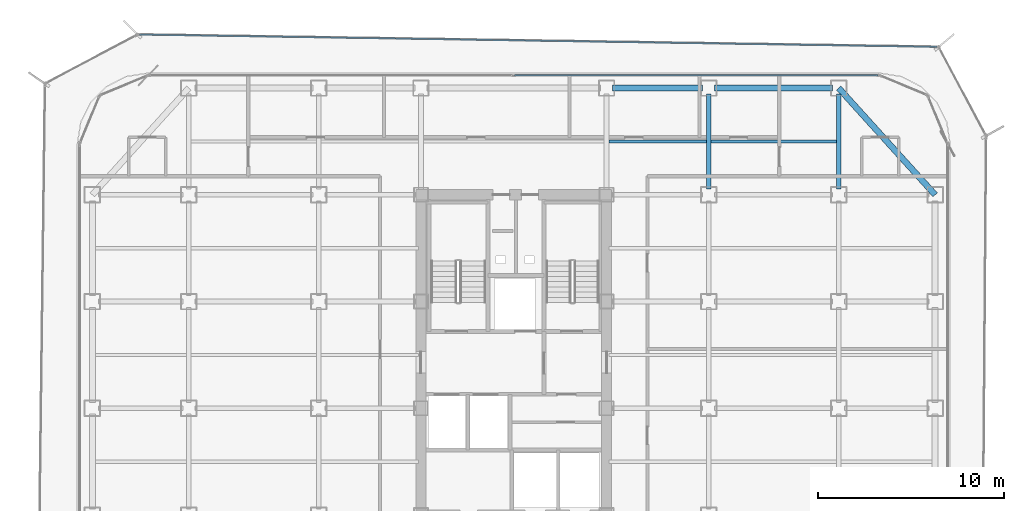
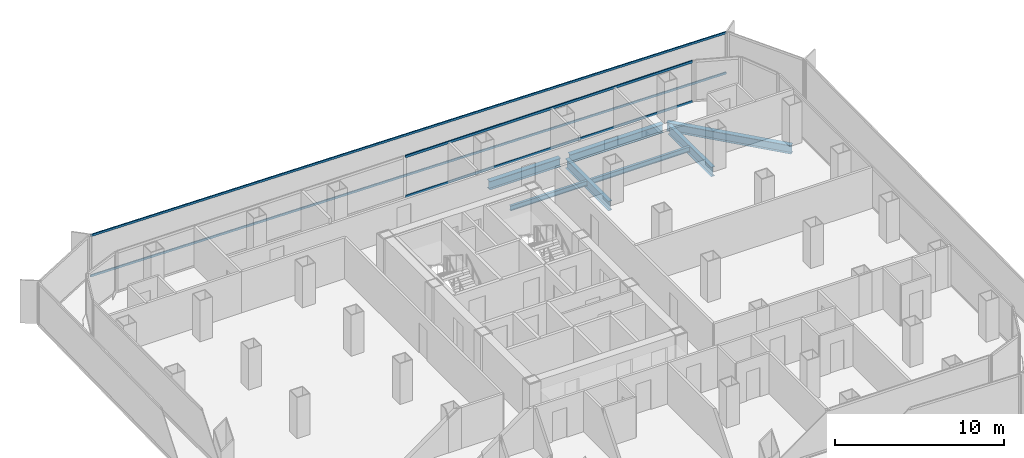
# One storey, part 13 of 21: 7 beams, 4 members, 2 elements without a shape of their own.
"""IFC4 building model written with IfcOpenShell, lengths in metres."""

import ifcopenshell
import ifcopenshell.guid

model = None  # the IFC model being written
_history = None  # IfcOwnerHistory: only IFC2X3 demands one
_inside = {}  # id of a spatial element -> (the spatial element, [elements in it])
_under = {}  # id of a project, library or spatial element -> (it, [spatial elements below it])
_declared = {}  # id of a project -> (the project, [libraries it declares])
_typed = {}  # id of a type object -> (the type object, [elements of that type])
_made_of = {}  # id of a material, layer set ... -> (it, [elements and type objects made of it])


def new_model(schema):
    """Start an empty IFC model of exactly this schema.

    Asked for "IFC4X3", IfcOpenShell would pick the latest addendum, in which some entities
    have other attributes; the version numbers below select the first issue.
    IFC2X3 requires an IfcOwnerHistory on every rooted entity: one is made here for all.
    """
    global model, _history
    if schema == "IFC4X3":
        model = ifcopenshell.file(schema_version=(4, 3, 0, 0))
    else:
        model = ifcopenshell.file(schema=schema)
    _inside.clear()
    _under.clear()
    _declared.clear()
    _typed.clear()
    _made_of.clear()
    _history = None
    if model.schema == "IFC2X3":
        org = make("IfcOrganization", Name="unknown")
        user = make(
            "IfcPersonAndOrganization",
            ThePerson=make("IfcPerson", FamilyName="unknown"),
            TheOrganization=org,
        )
        app = make(
            "IfcApplication",
            ApplicationDeveloper=org,
            Version="unknown",
            ApplicationFullName="unknown",
            ApplicationIdentifier="unknown",
        )
        _history = make(
            "IfcOwnerHistory",
            OwningUser=user,
            OwningApplication=app,
            ChangeAction="ADDED",
            CreationDate=0,
        )
    return model


def make(cls, **values):
    """One entity of the class cls with the attributes given. An attribute that is None is left unset."""
    return model.create_entity(
        cls, **{name: value for name, value in values.items() if value is not None}
    )


def rooted(cls, **values):
    """An entity with a GlobalId (a new one), such as an element, a storey or a relation."""
    return make(cls, GlobalId=ifcopenshell.guid.new(), OwnerHistory=_history, **values)


def si_unit(unit_type, name, prefix=None):
    """IfcSIUnit, for example si_unit("LENGTHUNIT", "METRE", prefix="MILLI")."""
    return make("IfcSIUnit", UnitType=unit_type, Prefix=prefix, Name=name)


def assignment(units):
    """IfcUnitAssignment: the units of a project."""
    return None if units is None else make("IfcUnitAssignment", Units=units)


def point(xyz):
    """IfcCartesianPoint."""
    return None if xyz is None else make("IfcCartesianPoint", Coordinates=xyz)


def direction(xyz):
    """IfcDirection."""
    return None if xyz is None else make("IfcDirection", DirectionRatios=xyz)


def frame(location, z_axis=None, x_axis=None):
    """IfcAxis2Placement3D, a coordinate frame: its origin and axes. An axis left out is left unset."""
    return make(
        "IfcAxis2Placement3D",
        Location=point(location),
        Axis=direction(z_axis),
        RefDirection=direction(x_axis),
    )


def frame_2d(location, x_axis=None):
    """IfcAxis2Placement2D, a coordinate frame in the plane: its origin and x axis."""
    return make(
        "IfcAxis2Placement2D", Location=point(location), RefDirection=direction(x_axis)
    )


def origin():
    """The frame at (0, 0, 0) with its axes left unset."""
    return frame((0.0, 0.0, 0.0))


def origin_2d():
    """The frame at (0, 0) in the plane with its x axis left unset."""
    return frame_2d((0.0, 0.0))


def place(relative_to, where):
    """IfcLocalPlacement: puts the frame where relative to a parent placement (None: the world)."""
    return make(
        "IfcLocalPlacement", PlacementRelTo=relative_to, RelativePlacement=where
    )


def context(
    kind, dimensions, precision=None, world=None, true_north=None, identifier=None
):
    """IfcGeometricRepresentationContext, for example the 3D "Model" context."""
    return make(
        "IfcGeometricRepresentationContext",
        ContextIdentifier=identifier,
        ContextType=kind,
        CoordinateSpaceDimension=dimensions,
        Precision=precision,
        WorldCoordinateSystem=world,
        TrueNorth=true_north,
    )


def subcontext(parent, identifier, kind, view, scale=None):
    """IfcGeometricRepresentationSubContext, for example "Body" below "Model"."""
    return make(
        "IfcGeometricRepresentationSubContext",
        ContextIdentifier=identifier,
        ContextType=kind,
        ParentContext=parent,
        TargetScale=scale,
        TargetView=view,
    )


def project(units=None, contexts=None):
    """IfcProject with its units and contexts."""
    return rooted(
        "IfcProject",
        Name="project",
        RepresentationContexts=contexts,
        UnitsInContext=assignment(units),
    )


def spatial(cls, under=None, at=None, **own):
    """A site, building, storey or space (cls), placed at a placement, below another one or the project."""
    s = rooted(cls, ObjectPlacement=at, **own)
    if under is not None:
        _under.setdefault(under.id(), (under, []))[1].append(s)
    return s


def profile(cls, at=None, kind="AREA", **sizes):
    """A parametric profile (cls). Its sizes go by their IFC names, for example OverallWidth=200.0."""
    return make(cls, ProfileType=kind, Position=at, **sizes)


def hollow_rectangle(**sizes):
    """IfcRectangleHollowProfileDef."""
    return profile("IfcRectangleHollowProfileDef", **sizes)


def i_section(**sizes):
    """IfcIShapeProfileDef."""
    return profile("IfcIShapeProfileDef", **sizes)


def extrude(swept, where, along, depth):
    """IfcExtrudedAreaSolid: the profile swept, set in the frame where, extruded along a direction by depth."""
    return make(
        "IfcExtrudedAreaSolid",
        SweptArea=swept,
        Position=where,
        ExtrudedDirection=direction(along),
        Depth=depth,
    )


def shape(context_of_items, identifier, shape_type, items):
    """IfcShapeRepresentation: the items that make up one representation, for example the "Body"."""
    return make(
        "IfcShapeRepresentation",
        ContextOfItems=context_of_items,
        RepresentationIdentifier=identifier,
        RepresentationType=shape_type,
        Items=items,
    )


def source(mapping_origin, context_of_items, identifier, shape_type, items):
    """IfcRepresentationMap: a shape defined once, which mapped items show again and again."""
    return make(
        "IfcRepresentationMap",
        MappingOrigin=mapping_origin,
        MappedRepresentation=shape(context_of_items, identifier, shape_type, items),
    )


def transform(
    local_origin,
    x_axis=None,
    y_axis=None,
    z_axis=None,
    scale=None,
    scale2=None,
    scale3=None,
    uniform=True,
):
    """IfcCartesianTransformationOperator3D, or its non-uniform kind. x_axis, y_axis, z_axis: its Axis1, 2, 3."""
    if uniform:
        return make(
            "IfcCartesianTransformationOperator3D",
            Axis1=direction(x_axis),
            Axis2=direction(y_axis),
            LocalOrigin=point(local_origin),
            Scale=scale,
            Axis3=direction(z_axis),
        )
    return make(
        "IfcCartesianTransformationOperator3DnonUniform",
        Axis1=direction(x_axis),
        Axis2=direction(y_axis),
        LocalOrigin=point(local_origin),
        Scale=scale,
        Axis3=direction(z_axis),
        Scale2=scale2,
        Scale3=scale3,
    )


def mapped(mapping_source, mapping_target):
    """IfcMappedItem: shows the shape of a source again, moved by a transform."""
    return make(
        "IfcMappedItem", MappingSource=mapping_source, MappingTarget=mapping_target
    )


def material(Name=None, Category=None):
    """IfcMaterial."""
    return make("IfcMaterial", Name=Name, Category=Category)


def layer(
    of_material, thickness, ventilated=None, Name=None, Category=None, Priority=None
):
    """IfcMaterialLayer: one layer of a wall or slab, of a material (None: an air gap)."""
    return make(
        "IfcMaterialLayer",
        Material=of_material,
        LayerThickness=thickness,
        IsVentilated=ventilated,
        Name=Name,
        Category=Category,
        Priority=Priority,
    )


def layer_set(layers, Name=None):
    """IfcMaterialLayerSet."""
    return make("IfcMaterialLayerSet", MaterialLayers=layers, LayerSetName=Name)


def material_profile(
    of_material, cross_section, Name=None, Category=None, Priority=None
):
    """IfcMaterialProfile: a cross section and its material."""
    return make(
        "IfcMaterialProfile",
        Name=Name,
        Material=of_material,
        Profile=cross_section,
        Priority=Priority,
        Category=Category,
    )


def profile_set(profiles, Name=None, composite=None):
    """IfcMaterialProfileSet."""
    return make(
        "IfcMaterialProfileSet",
        Name=Name,
        MaterialProfiles=profiles,
        CompositeProfile=composite,
    )


def made_of(thing, what):
    """Note that an element or type object is made of a material, layer set ...; save() writes the relation."""
    if what is not None:
        _made_of.setdefault(what.id(), (what, []))[1].append(thing)
    return thing


def type_object(cls, material=None, **own):
    """A type object (cls), such as IfcWallType, which elements share."""
    return made_of(rooted(cls, **own), material)


def element(
    cls,
    number,
    at=None,
    inside=None,
    cuts=None,
    type_object=None,
    material=None,
    context=None,
    identifier="Body",
    shape_type=None,
    held_by="IfcProductDefinitionShape",
    body=None,
    shapes=None,
    **own,
):
    """One element of the class cls, such as IfcWall. Its Tag is "e" and its number.

    at: its placement. inside: the storey or other place that contains it. cuts: it is an
    opening in that element (IfcRelVoidsElement). A single representation is given by context,
    identifier, shape_type and body (its items); several are given by shapes. held_by: the class
    of the entity that holds the representations. save() writes the other relations.
    """
    e = rooted(cls, Tag="e%d" % number, ObjectPlacement=at, **own)
    if body is not None:
        shapes = [shape(context, identifier, shape_type, body)]
    if shapes is not None:
        e.Representation = make(held_by, Representations=shapes)
    if inside is not None:
        _inside.setdefault(inside.id(), (inside, []))[1].append(e)
    if cuts is not None:
        rooted(
            "IfcRelVoidsElement", RelatingBuildingElement=cuts, RelatedOpeningElement=e
        )
    if type_object is not None:
        _typed.setdefault(type_object.id(), (type_object, []))[1].append(e)
    return made_of(e, material)


def aggregate(whole, parts):
    """IfcRelAggregates: a whole, such as a stair, and the parts it consists of."""
    return rooted("IfcRelAggregates", RelatingObject=whole, RelatedObjects=parts)


def save(model, path):
    """Write the relations noted so far, then the file.

    IfcRelAggregates (storeys below a building ...), IfcRelContainedInSpatialStructure (elements
    in a storey), IfcRelDefinesByType, IfcRelAssociatesMaterial and IfcRelDeclares: one each for
    every whole, place, type object, material and project.
    """
    for whole, parts in _under.values():
        aggregate(whole, parts)
    for where, things in _inside.values():
        rooted(
            "IfcRelContainedInSpatialStructure",
            RelatedElements=things,
            RelatingStructure=where,
        )
    for kind, things in _typed.values():
        rooted("IfcRelDefinesByType", RelatedObjects=things, RelatingType=kind)
    for what, things in _made_of.values():
        rooted("IfcRelAssociatesMaterial", RelatedObjects=things, RelatingMaterial=what)
    for by, libraries in _declared.values():
        rooted("IfcRelDeclares", RelatingContext=by, RelatedDefinitions=libraries)
    model.write(path)


model = new_model("IFC4")

# Units and contexts
model_context = context("Model", 3, precision=1e-05, world=origin(), true_north=direction((0.0, 1.0)))
body_context = subcontext(model_context, "Body", "Model", "MODEL_VIEW")
ifc_project = project(units=[si_unit("LENGTHUNIT", "METRE"), si_unit("AREAUNIT", "SQUARE_METRE"), si_unit("VOLUMEUNIT", "CUBIC_METRE"), si_unit("PLANEANGLEUNIT", "RADIAN"), si_unit("MASSUNIT", "GRAM", prefix="KILO")], contexts=[model_context])

# Site, building, storey
site_placement = place(None, origin())
site = spatial("IfcSite", under=ifc_project, at=site_placement, CompositionType="ELEMENT")
building_placement = place(site_placement, origin())
building = spatial("IfcBuilding", under=site, at=building_placement, Name="Kolveth Station Tower", CompositionType="ELEMENT")
storey_placement = place(building_placement, frame((0.0, 0.0, 99.10009765625)))
storey = spatial("IfcBuildingStorey", under=building, at=storey_placement, Name="L26", CompositionType="ELEMENT", Elevation=99.10009765625)

# Beams
ifc_material_1 = material(Name="Steel S355", Category="steel")
ifc_material_profile_1 = material_profile(ifc_material_1, i_section(OverallWidth=0.323974609375, OverallDepth=0.611083984375, WebThickness=0.0126953125, FlangeThickness=0.01904296875, at=origin_2d()), Name="W610x155")
ifc_profile_set_1 = profile_set([ifc_material_profile_1], Name="Steel S355")
beam_type_1 = type_object("IfcBeamType", Name="Beam_SP2", PredefinedType="SPANDREL", material=ifc_profile_set_1)
shared_shape_1 = source(origin(), body_context, "Body", "SweptSolid", [
    extrude(i_section(OverallWidth=0.323974609375, OverallDepth=0.611083984375, WebThickness=0.0126953125, FlangeThickness=0.01904296875, at=origin_2d()), origin(), (0.0, 0.0, 1.0), 6.35986328125),
])
beam_1_placement = place(storey_placement, frame((34.320068359375, 34.5, -0.5556640625), z_axis=(1.0, 0.0, 0.0), x_axis=(0.0, 1.0, 0.0)))
element("IfcBeam", 1, at=beam_1_placement, inside=storey, type_object=beam_type_1, Name="L26 Perimeter Spandrel BM-L26-PN-5", PredefinedType="SPANDREL", context=body_context, shape_type="MappedRepresentation", body=[
    mapped(shared_shape_1, transform((0.0, 0.0, 0.0), x_axis=(1.0, 0.0, 0.0), y_axis=(0.0, 1.0, 0.0), z_axis=(0.0, 0.0, 1.0), scale=1.0)),
])
shared_shape_2 = source(origin(), body_context, "Body", "SweptSolid", [
    extrude(i_section(OverallWidth=0.323974609375, OverallDepth=0.611083984375, WebThickness=0.0126953125, FlangeThickness=0.01904296875, at=origin_2d()), origin(), (0.0, 0.0, 1.0), 4.85986328125),
])
beam_2_placement = place(storey_placement, frame((28.820068359375, 34.5, -0.5556640625), z_axis=(1.0, 0.0, 0.0), x_axis=(0.0, 1.0, 0.0)))
element("IfcBeam", 2, at=beam_2_placement, inside=storey, type_object=beam_type_1, Name="L26 Perimeter Spandrel BM-L26-PN-4", PredefinedType="SPANDREL", context=body_context, shape_type="MappedRepresentation", body=[
    mapped(shared_shape_2, transform((0.0, 0.0, 0.0), x_axis=(1.0, 0.0, 0.0), y_axis=(0.0, 1.0, 0.0), z_axis=(0.0, 0.0, 1.0), scale=1.0)),
])
shared_shape_3 = source(origin(), body_context, "Body", "SweptSolid", [
    extrude(i_section(OverallWidth=0.323974609375, OverallDepth=0.611083984375, WebThickness=0.0126953125, FlangeThickness=0.01904296875, at=origin_2d()), origin(), (0.0, 0.0, 1.0), 7.75244140625),
])
beam_3_placement = place(storey_placement, frame((46.199951171875, 28.75, -0.5556640625), z_axis=(-0.670740965555, 0.74169168603, 0.0), x_axis=(-0.74169168603, -0.670740965555, 0.0)))
element("IfcBeam", 3, at=beam_3_placement, inside=storey, type_object=beam_type_1, Name="L26 Corner Edge Girder BM-L26-CNR-NE", PredefinedType="SPANDREL", context=body_context, shape_type="MappedRepresentation", body=[
    mapped(shared_shape_3, transform((0.0, 0.0, 0.0), x_axis=(1.0, 0.0, 0.0), y_axis=(0.0, 1.0, 0.0), z_axis=(0.0, 0.0, 1.0), scale=1.0)),
])
ifc_material_profile_2 = material_profile(ifc_material_1, i_section(OverallWidth=0.25390625, OverallDepth=0.68798828125, WebThickness=0.01318359375, FlangeThickness=0.02099609375, at=origin_2d()), Name="W690x152")
ifc_profile_set_2 = profile_set([ifc_material_profile_2], Name="Steel S355")
beam_type_2 = type_object("IfcBeamType", Name="Beam_B4", PredefinedType="BEAM", material=ifc_profile_set_2)
shared_shape_4 = source(origin(), body_context, "Body", "SweptSolid", [
    extrude(i_section(OverallWidth=0.25390625, OverallDepth=0.68798828125, WebThickness=0.01318359375, FlangeThickness=0.02099609375, at=origin_2d()), origin(), (0.0, 0.0, 1.0), 5.10986328125),
])
for number, where, z_axis, x_axis, name in (
    (4, (34.0, 29.070068359375, -0.593994140625), (0.0, 1.0, 0.0), (-1.0, 0.0, 0.0), "L26 Primary Girder BM-L26-GX340-6"),
    (5, (41.0, 29.070068359375, -0.593994140625), (0.0, 1.0, 0.0), (-1.0, 0.0, 0.0), "L26 Primary Girder BM-L26-GX410-6"),
):
    element("IfcBeam", number, at=place(storey_placement, frame(where, z_axis=z_axis, x_axis=x_axis)), inside=storey, type_object=beam_type_2, Name=name, PredefinedType="BEAM", context=body_context, shape_type="MappedRepresentation", body=[
        mapped(shared_shape_4, transform((0.0, 0.0, 0.0), x_axis=(1.0, 0.0, 0.0), y_axis=(0.0, 1.0, 0.0), z_axis=(0.0, 0.0, 1.0), scale=1.0)),
    ])
ifc_material_profile_3 = material_profile(ifc_material_1, i_section(OverallWidth=0.1708984375, OverallDepth=0.35205078125, WebThickness=0.0068359375, FlangeThickness=0.009765625, at=origin_2d()), Name="W360x44")
ifc_profile_set_3 = profile_set([ifc_material_profile_3], Name="Steel S355")
beam_type_3 = type_object("IfcBeamType", Name="Beam_J2", PredefinedType="JOIST", material=ifc_profile_set_3)
shared_shape_5 = source(origin(), body_context, "Body", "SweptSolid", [
    extrude(i_section(OverallWidth=0.1708984375, OverallDepth=0.35205078125, WebThickness=0.0068359375, FlangeThickness=0.009765625, at=origin_2d()), origin(), (0.0, 0.0, 1.0), 6.75),
])
beam_4_placement = place(storey_placement, frame((34.125, 31.625, -0.426025390625), z_axis=(1.0, 0.0, 0.0), x_axis=(0.0, 1.0, 0.0)))
element("IfcBeam", 6, at=beam_4_placement, inside=storey, type_object=beam_type_3, Name="L26 Secondary Joist JST-L26-6-6", PredefinedType="JOIST", context=body_context, shape_type="MappedRepresentation", body=[
    mapped(shared_shape_5, transform((0.0, 0.0, 0.0), x_axis=(1.0, 0.0, 0.0), y_axis=(0.0, 1.0, 0.0), z_axis=(0.0, 0.0, 1.0), scale=1.0)),
])
shared_shape_6 = source(origin(), body_context, "Body", "SweptSolid", [
    extrude(i_section(OverallWidth=0.1708984375, OverallDepth=0.35205078125, WebThickness=0.0068359375, FlangeThickness=0.009765625, at=origin_2d()), origin(), (0.0, 0.0, 1.0), 5.25),
])
beam_5_placement = place(storey_placement, frame((28.625, 31.625, -0.426025390625), z_axis=(1.0, 0.0, 0.0), x_axis=(0.0, 1.0, 0.0)))
element("IfcBeam", 7, at=beam_5_placement, inside=storey, type_object=beam_type_3, Name="L26 Secondary Joist JST-L26-5-6", PredefinedType="JOIST", context=body_context, shape_type="MappedRepresentation", body=[
    mapped(shared_shape_6, transform((0.0, 0.0, 0.0), x_axis=(1.0, 0.0, 0.0), y_axis=(0.0, 1.0, 0.0), z_axis=(0.0, 0.0, 1.0), scale=1.0)),
])

# Curtain wall, members
ifc_material_2 = material(Name="Aluminium 6063-T6 and low-E dark glass", Category="aluminium")
ifc_layer_1 = layer(ifc_material_2, 0.18994140625)
ifc_layer_set_1 = layer_set([ifc_layer_1], Name="Aluminium 6063-T6 and low-E dark glass")
curtain_wall_type_1 = type_object("IfcCurtainWallType", Name="CurtainWall_CW-Z2", PredefinedType="NOTDEFINED", material=ifc_layer_set_1)
curtain_wall_1_placement = place(storey_placement, origin())
curtain_wall_1 = element("IfcCurtainWall", 8, at=curtain_wall_1_placement, inside=storey, type_object=curtain_wall_type_1, Name="L26 Inner Thermal Curtain Wall 6", PredefinedType="NOTDEFINED")
ifc_material_3 = material(Name="Black anodized aluminium 6063-T6", Category="aluminium")
ifc_material_profile_4 = material_profile(ifc_material_3, hollow_rectangle(XDim=0.080078125, YDim=0.169921875, WallThickness=0.0048828125, at=origin_2d()), Name="ALU-80x170x5")
ifc_profile_set_4 = profile_set([ifc_material_profile_4], Name="Black anodized aluminium 6063-T6")
member_type_1 = type_object("IfcMemberType", Name="Transom_TR2", PredefinedType="USERDEFINED", material=ifc_profile_set_4)
shared_shape_7 = source(origin(), body_context, "Body", "SweptSolid", [
    extrude(hollow_rectangle(XDim=0.080078125, YDim=0.169921875, WallThickness=0.0048828125, at=origin_2d()), origin(), (0.0, 0.0, 1.0), 19.580078125),
])
member_1_placement = place(storey_placement, frame((43.1201171875, 35.179931640625, 0.039794921875), z_axis=(-1.0, 0.0, 0.0), x_axis=(0.0, -1.0, 0.0)))
member_1 = element("IfcMember", 9, at=member_1_placement, type_object=member_type_1, Name="CW-Z2 transom 1.1", ObjectType="TRANSOM", PredefinedType="USERDEFINED", context=body_context, shape_type="MappedRepresentation", body=[
    mapped(shared_shape_7, transform((0.0, 0.0, 0.0), x_axis=(1.0, 0.0, 0.0), y_axis=(0.0, 1.0, 0.0), z_axis=(0.0, 0.0, 1.0), scale=1.0)),
])
member_2_placement = place(storey_placement, frame((43.1201171875, 35.179931640625, 2.909912109375), z_axis=(-1.0, 0.0, 0.0), x_axis=(0.0, -1.0, 0.0)))
member_2 = element("IfcMember", 10, at=member_2_placement, type_object=member_type_1, Name="CW-Z2 transom 1.2", ObjectType="TRANSOM", PredefinedType="USERDEFINED", context=body_context, shape_type="MappedRepresentation", body=[
    mapped(shared_shape_7, transform((0.0, 0.0, 0.0), x_axis=(1.0, 0.0, 0.0), y_axis=(0.0, 1.0, 0.0), z_axis=(0.0, 0.0, 1.0), scale=1.0)),
])
aggregate(curtain_wall_1, [member_1, member_2])

ifc_material_4 = material(Name="Black anodized aluminium 6063-T6 and dark solar glass", Category="aluminium")
ifc_layer_2 = layer(ifc_material_4, 0.159912109375)
ifc_layer_set_2 = layer_set([ifc_layer_2], Name="Black anodized aluminium 6063-T6 and dark solar glass")
curtain_wall_type_2 = type_object("IfcCurtainWallType", Name="OUTER SKIN CW-OS", PredefinedType="NOTDEFINED", material=ifc_layer_set_2)
curtain_wall_2_placement = place(storey_placement, origin())
curtain_wall_2 = element("IfcCurtainWall", 11, at=curtain_wall_2_placement, inside=storey, type_object=curtain_wall_type_2, Name="L26 Outer Ventilated Skin Curtain Wall 4", PredefinedType="NOTDEFINED")
ifc_material_profile_5 = material_profile(ifc_material_3, hollow_rectangle(XDim=0.080078125, YDim=0.14990234375, WallThickness=0.0048828125, at=origin_2d()), Name="ALU-80x150x5")
ifc_profile_set_5 = profile_set([ifc_material_profile_5], Name="Black anodized aluminium 6063-T6")
member_type_2 = type_object("IfcMemberType", Name="Transom_TR-OS", PredefinedType="USERDEFINED", material=ifc_profile_set_5)
shared_shape_8 = source(origin(), body_context, "Body", "SweptSolid", [
    extrude(hollow_rectangle(XDim=0.080078125, YDim=0.14990234375, WallThickness=0.0048828125, at=origin_2d()), origin(), (0.0, 0.0, 1.0), 42.972900390625),
])
member_3_placement = place(storey_placement, frame((46.30224609375, 36.719482421875, 0.039794921875), z_axis=(-0.999880857676, 0.015436011559, 0.0), x_axis=(-0.015436011559, -0.999880857676, 0.0)))
member_3 = element("IfcMember", 12, at=member_3_placement, type_object=member_type_2, Name="CW-OS transom 1.1", ObjectType="TRANSOM", PredefinedType="USERDEFINED", context=body_context, shape_type="MappedRepresentation", body=[
    mapped(shared_shape_8, transform((0.0, 0.0, 0.0), x_axis=(1.0, 0.0, 0.0), y_axis=(0.0, 1.0, 0.0), z_axis=(0.0, 0.0, 1.0), scale=1.0)),
])
member_4_placement = place(storey_placement, frame((46.30224609375, 36.719482421875, 2.949951171875), z_axis=(-0.999880857676, 0.015436011559, 0.0), x_axis=(-0.015436011559, -0.999880857676, 0.0)))
member_4 = element("IfcMember", 13, at=member_4_placement, type_object=member_type_2, Name="CW-OS transom 1.2", ObjectType="TRANSOM", PredefinedType="USERDEFINED", context=body_context, shape_type="MappedRepresentation", body=[
    mapped(shared_shape_8, transform((0.0, 0.0, 0.0), x_axis=(1.0, 0.0, 0.0), y_axis=(0.0, 1.0, 0.0), z_axis=(0.0, 0.0, 1.0), scale=1.0)),
])
aggregate(curtain_wall_2, [member_3, member_4])

save(model, "model.ifc")
